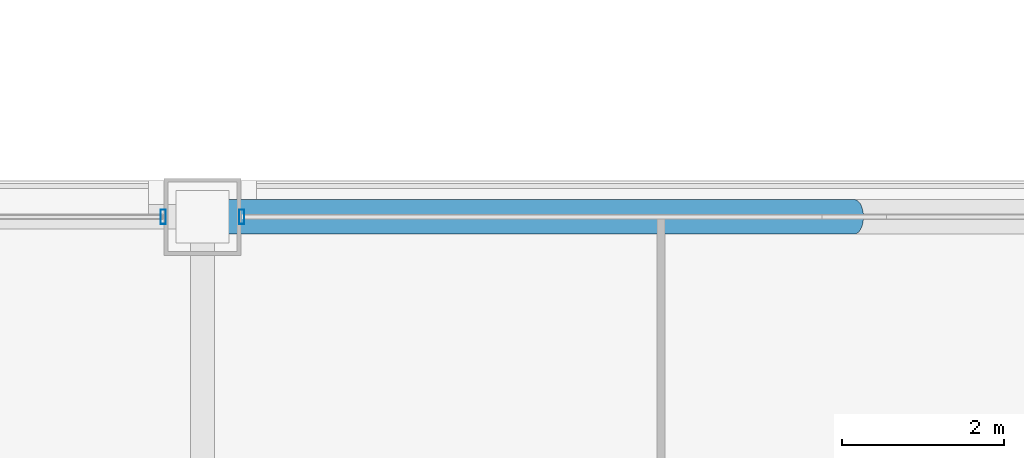
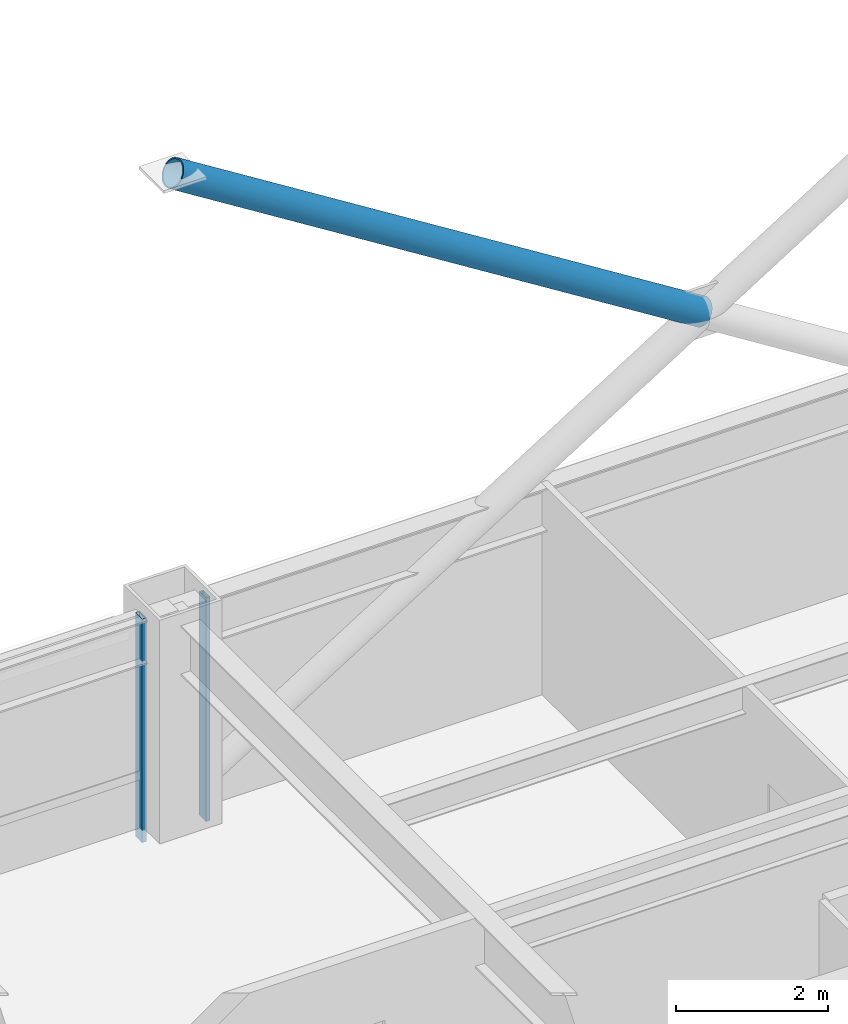
# One storey, part 20 of 33: 3 members, 2 elements without a shape of their own.
"""IFC4 building model written with IfcOpenShell, lengths in metres."""

from ifc_helpers import new_model, si_unit, direction, frame, origin, origin_2d, place, context, subcontext, project, spatial, hollow_rectangle, hollow_circle, extrude, material, layer, layer_set, material_profile, profile_set, type_object, element, aggregate, save


model = new_model("IFC4")

# Units and contexts
model_context = context("Model", 3, precision=1e-05, world=origin(), true_north=direction((0.0, 1.0)))
body_context = subcontext(model_context, "Body", "Model", "MODEL_VIEW")
ifc_project = project(units=[si_unit("LENGTHUNIT", "METRE"), si_unit("AREAUNIT", "SQUARE_METRE"), si_unit("VOLUMEUNIT", "CUBIC_METRE"), si_unit("PLANEANGLEUNIT", "RADIAN"), si_unit("MASSUNIT", "GRAM", prefix="KILO")], contexts=[model_context])

# Site, building, storey
site_placement = place(None, origin())
site = spatial("IfcSite", under=ifc_project, at=site_placement, CompositionType="ELEMENT")
building_placement = place(site_placement, origin())
building = spatial("IfcBuilding", under=site, at=building_placement, Name="Brelmoor Portico Tower", CompositionType="ELEMENT")
storey_placement = place(building_placement, frame((0.0, 0.0, 34.800048828125)))
storey = spatial("IfcBuildingStorey", under=building, at=storey_placement, Name="L08", CompositionType="ELEMENT", Elevation=34.800048828125)

# Member
ifc_material_1 = material(Name="Steel Q355B", Category="steel")
ifc_material_profile_1 = material_profile(ifc_material_1, hollow_circle(Radius=0.212890625, WallThickness=0.02001953125, at=origin_2d()), Name="CHS 426x20")
ifc_profile_set_1 = profile_set([ifc_material_profile_1], Name="Steel Q355B")
member_type_1 = type_object("IfcMemberType", Name="MB-BELT-DIAG1", PredefinedType="BRACE", material=ifc_profile_set_1)
member_1_placement = place(storey_placement, frame((0.0, 21.550048828125, 5.300048828125), z_axis=(-0.847121041358, 0.0, 0.531399982393), x_axis=(0.0, -1.0, 0.0)))
element("IfcMember", 1, at=member_1_placement, inside=storey, type_object=member_type_1, Name="L08 Split Mega-X Brace 012B2", PredefinedType="BRACE", context=body_context, shape_type="SweptSolid", body=[
    extrude(hollow_circle(Radius=0.212890625, WallThickness=0.02001953125, at=origin_2d()), origin(), (0.0, 0.0, 1.0), 9.5029296875),
])

# Curtain wall, member
ifc_material_2 = material(Name="Anodised Aluminium Alloy 6063-T6", Category="aluminium")
ifc_layer_1 = layer(ifc_material_2, 0.179931640625)
ifc_layer_set_1 = layer_set([ifc_layer_1], Name="Anodised Aluminium Alloy 6063-T6")
curtain_wall_type_1 = type_object("IfcCurtainWallType", Name="CW-TOWER-Z1", PredefinedType="NOTDEFINED", material=ifc_layer_set_1)
curtain_wall_1_placement = place(storey_placement, origin())
curtain_wall_1 = element("IfcCurtainWall", 2, at=curtain_wall_1_placement, inside=storey, type_object=curtain_wall_type_1, Name="L08 Curtain Wall CW-L08-2L-2", PredefinedType="NOTDEFINED")
ifc_material_profile_2 = material_profile(ifc_material_2, hollow_rectangle(XDim=0.06494140625, YDim=0.179931640625, WallThickness=0.00390625, at=origin_2d()), Name="ALU MULLION 65x180")
ifc_profile_set_2 = profile_set([ifc_material_profile_2], Name="Anodised Aluminium Alloy 6063-T6")
member_type_2 = type_object("IfcMemberType", Name="MB-CW-MULL-180", PredefinedType="MULLION", material=ifc_profile_set_2)
member_2_placement = place(storey_placement, frame((-8.534912109375, 21.550048828125, -0.199951171875), z_axis=(0.0, 0.0, 1.0), x_axis=(1.0, 0.0, 0.0)))
member_2 = element("IfcMember", 3, at=member_2_placement, type_object=member_type_2, Name="CW-L08-2L-2 Mullion 01", PredefinedType="MULLION", context=body_context, shape_type="SweptSolid", body=[
    extrude(hollow_rectangle(XDim=0.06494140625, YDim=0.179931640625, WallThickness=0.00390625, at=origin_2d()), origin(), (0.0, 0.0, 1.0), 3.599853515625),
])
aggregate(curtain_wall_1, [member_2])

ifc_layer_2 = layer(ifc_material_2, 0.179931640625)
ifc_layer_set_2 = layer_set([ifc_layer_2], Name="Anodised Aluminium Alloy 6063-T6")
curtain_wall_type_2 = type_object("IfcCurtainWallType", Name="CW-TOWER-Z1-XB", PredefinedType="NOTDEFINED", material=ifc_layer_set_2)
curtain_wall_2_placement = place(storey_placement, origin())
curtain_wall_2 = element("IfcCurtainWall", 4, at=curtain_wall_2_placement, inside=storey, type_object=curtain_wall_type_2, Name="L08 Curtain Wall CW-L08-2L-3", PredefinedType="NOTDEFINED")
member_3_placement = place(storey_placement, frame((-7.56494140625, 21.550048828125, -0.199951171875), z_axis=(0.0, 0.0, 1.0), x_axis=(1.0, 0.0, 0.0)))
member_3 = element("IfcMember", 5, at=member_3_placement, type_object=member_type_2, Name="CW-L08-2L-3 Mullion 00", PredefinedType="MULLION", context=body_context, shape_type="SweptSolid", body=[
    extrude(hollow_rectangle(XDim=0.06494140625, YDim=0.179931640625, WallThickness=0.00390625, at=origin_2d()), origin(), (0.0, 0.0, 1.0), 3.599853515625),
])
aggregate(curtain_wall_2, [member_3])

save(model, "model.ifc")
